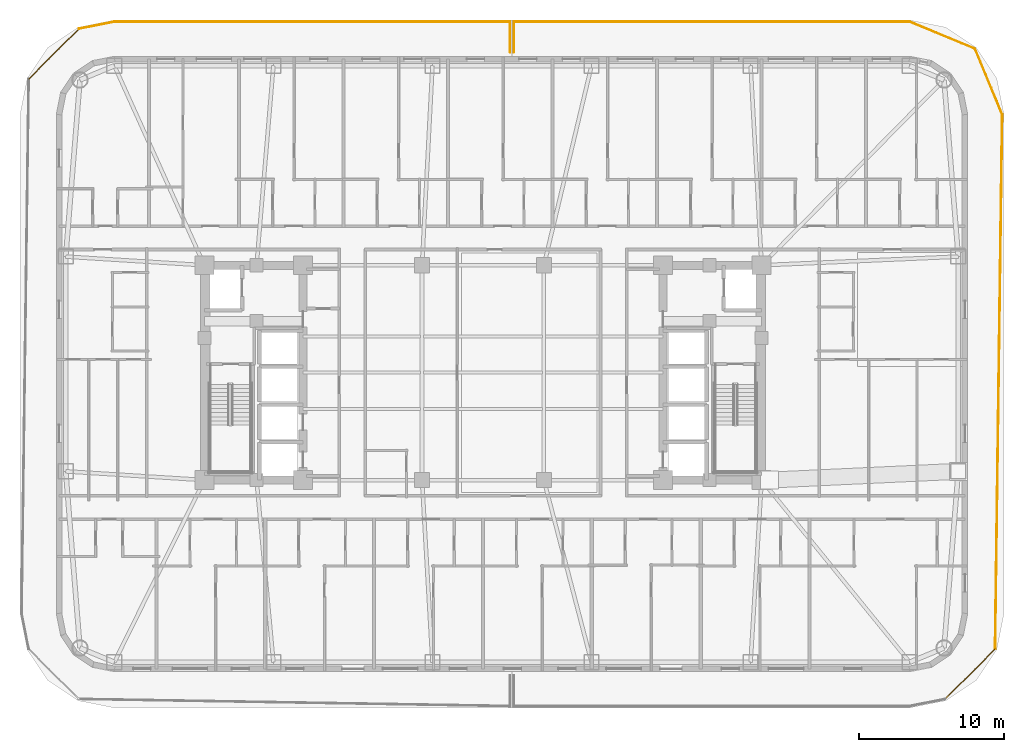
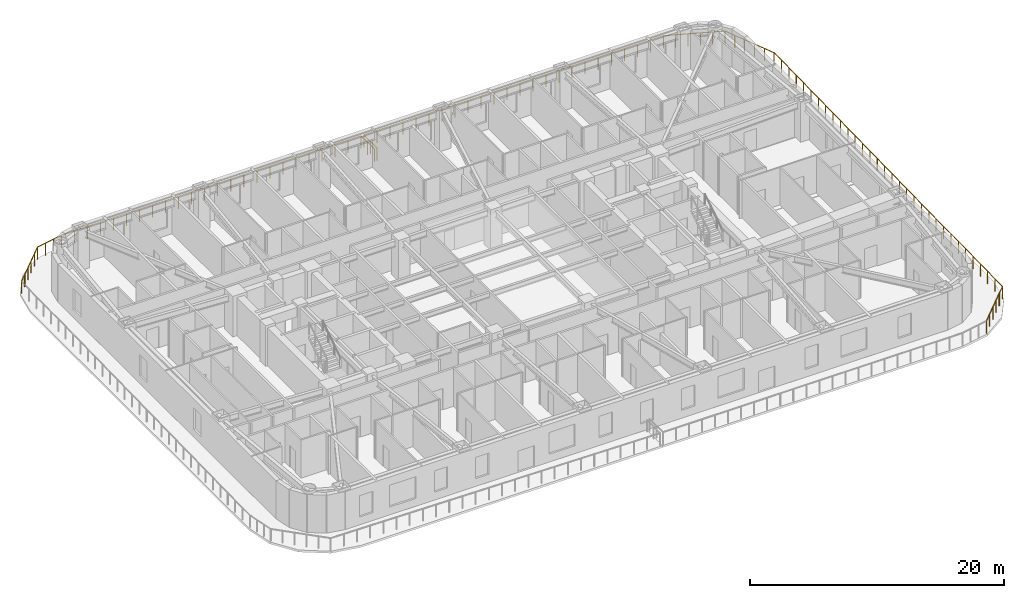
# One storey, part 16 of 16: 10 railings.
"""IFC4 building model written with IfcOpenShell, lengths in metres."""

from ifc_helpers import new_model, si_unit, direction, frame, origin, origin_2d, place, context, subcontext, project, spatial, circle, extrude, material, type_object, element, save


model = new_model("IFC4")

# Units and contexts
model_context = context("Model", 3, precision=1e-05, world=origin(), true_north=direction((0.0, 1.0)))
body_context = subcontext(model_context, "Body", "Model", "MODEL_VIEW")
ifc_project = project(units=[si_unit("LENGTHUNIT", "METRE"), si_unit("AREAUNIT", "SQUARE_METRE"), si_unit("VOLUMEUNIT", "CUBIC_METRE"), si_unit("PLANEANGLEUNIT", "RADIAN"), si_unit("MASSUNIT", "GRAM", prefix="KILO")], contexts=[model_context])

# Site, building, storey
site_placement = place(None, origin())
site = spatial("IfcSite", under=ifc_project, at=site_placement, CompositionType="ELEMENT")
building_placement = place(site_placement, origin())
building = spatial("IfcBuilding", under=site, at=building_placement, Name="Voryun Gate Residences", CompositionType="ELEMENT")
storey_placement = place(building_placement, frame((0.0, 0.0, 113.10009765625)))
storey = spatial("IfcBuildingStorey", under=building, at=storey_placement, Name="L27", CompositionType="ELEMENT", Elevation=113.10009765625)

# Railings
ifc_material = material(Name="Anodised aluminium", Category="aluminium")
railing_type = type_object("IfcRailingType", Name="RAIL_BALCONY_GUARD_1200", PredefinedType="GUARDRAIL", material=ifc_material)
railing_1_placement = place(storey_placement, frame((-31.292236328125, 20.240478515625, 0.0)))
element("IfcRailing", 1, at=railing_1_placement, inside=storey, type_object=railing_type, Name="Terrace guard RL-L27-P1L1-04", PredefinedType="GUARDRAIL", context=body_context, shape_type="SweptSolid", body=[
    extrude(circle(Radius=0.02392578125, at=origin_2d()), frame((0.0, 0.0, 1.17578125), z_axis=(0.707106781187, 0.707106781187, 0.0), x_axis=(-0.707106781187, 0.707106781187, 0.0)), (0.0, 0.0, 1.0), 4.88134765625),
    extrude(circle(Radius=0.02099609375, at=origin_2d()), origin(), (0.0, 0.0, 1.0), 1.15185546875),
    extrude(circle(Radius=0.02099609375, at=origin_2d()), frame((0.6904296875, 0.6904296875, 0.0)), (0.0, 0.0, 1.0), 1.15185546875),
    extrude(circle(Radius=0.02099609375, at=origin_2d()), frame((1.380615234375, 1.380615234375, 0.0)), (0.0, 0.0, 1.0), 1.15185546875),
    extrude(circle(Radius=0.02099609375, at=origin_2d()), frame((2.071044921875, 2.071044921875, 0.0)), (0.0, 0.0, 1.0), 1.15185546875),
    extrude(circle(Radius=0.02099609375, at=origin_2d()), frame((2.76123046875, 2.76123046875, 0.0)), (0.0, 0.0, 1.0), 1.15185546875),
    extrude(circle(Radius=0.02099609375, at=origin_2d()), frame((3.45166015625, 3.45166015625, 0.0)), (0.0, 0.0, 1.0), 1.15185546875),
])
railing_2_placement = place(storey_placement, frame((-27.840576171875, 23.692138671875, 0.0)))
element("IfcRailing", 2, at=railing_2_placement, inside=storey, type_object=railing_type, Name="Terrace guard RL-L27-P1L1-05", PredefinedType="GUARDRAIL", context=body_context, shape_type="SweptSolid", body=[
    extrude(circle(Radius=0.02392578125, at=origin_2d()), frame((0.0, 0.0, 1.17578125), z_axis=(0.980786676525, 0.195083303106, 0.0), x_axis=(-0.195083303106, 0.980786676525, 0.0)), (0.0, 0.0, 1.0), 2.50048828125),
    extrude(circle(Radius=0.02099609375, at=origin_2d()), origin(), (0.0, 0.0, 1.0), 1.15185546875),
    extrude(circle(Radius=0.02099609375, at=origin_2d()), frame((0.8173828125, 0.16259765625, 0.0)), (0.0, 0.0, 1.0), 1.15185546875),
    extrude(circle(Radius=0.02099609375, at=origin_2d()), frame((1.635009765625, 0.3251953125, 0.0)), (0.0, 0.0, 1.0), 1.15185546875),
    extrude(circle(Radius=0.02099609375, at=origin_2d()), frame((2.452392578125, 0.48779296875, 0.0)), (0.0, 0.0, 1.0), 1.15185546875),
])
railing_3_placement = place(storey_placement, frame((-25.38818359375, 24.179931640625, 0.0)))
element("IfcRailing", 3, at=railing_3_placement, inside=storey, type_object=railing_type, Name="Terrace guard RL-L27-P1L1-06", PredefinedType="GUARDRAIL", context=body_context, shape_type="SweptSolid", body=[
    extrude(circle(Radius=0.02392578125, at=origin_2d()), frame((0.0, 0.0, 1.17578125), z_axis=(1.0, 0.0, 0.0), x_axis=(0.0, 1.0, 0.0)), (0.0, 0.0, 1.0), 27.25830078125),
    extrude(circle(Radius=0.02099609375, at=origin_2d()), origin(), (0.0, 0.0, 1.0), 1.15185546875),
    extrude(circle(Radius=0.02099609375, at=origin_2d()), frame((1.18505859375, 0.0, 0.0)), (0.0, 0.0, 1.0), 1.15185546875),
    extrude(circle(Radius=0.02099609375, at=origin_2d()), frame((2.370361328125, 0.0, 0.0)), (0.0, 0.0, 1.0), 1.15185546875),
    extrude(circle(Radius=0.02099609375, at=origin_2d()), frame((3.555419921875, 0.0, 0.0)), (0.0, 0.0, 1.0), 1.15185546875),
    extrude(circle(Radius=0.02099609375, at=origin_2d()), frame((4.740478515625, 0.0, 0.0)), (0.0, 0.0, 1.0), 1.15185546875),
    extrude(circle(Radius=0.02099609375, at=origin_2d()), frame((5.92578125, 0.0, 0.0)), (0.0, 0.0, 1.0), 1.15185546875),
    extrude(circle(Radius=0.02099609375, at=origin_2d()), frame((7.11083984375, 0.0, 0.0)), (0.0, 0.0, 1.0), 1.15185546875),
    extrude(circle(Radius=0.02099609375, at=origin_2d()), frame((8.2958984375, 0.0, 0.0)), (0.0, 0.0, 1.0), 1.15185546875),
    extrude(circle(Radius=0.02099609375, at=origin_2d()), frame((9.481201171875, 0.0, 0.0)), (0.0, 0.0, 1.0), 1.15185546875),
    extrude(circle(Radius=0.02099609375, at=origin_2d()), frame((10.666259765625, 0.0, 0.0)), (0.0, 0.0, 1.0), 1.15185546875),
    extrude(circle(Radius=0.02099609375, at=origin_2d()), frame((11.851318359375, 0.0, 0.0)), (0.0, 0.0, 1.0), 1.15185546875),
    extrude(circle(Radius=0.02099609375, at=origin_2d()), frame((13.03662109375, 0.0, 0.0)), (0.0, 0.0, 1.0), 1.15185546875),
    extrude(circle(Radius=0.02099609375, at=origin_2d()), frame((14.2216796875, 0.0, 0.0)), (0.0, 0.0, 1.0), 1.15185546875),
    extrude(circle(Radius=0.02099609375, at=origin_2d()), frame((15.406982421875, 0.0, 0.0)), (0.0, 0.0, 1.0), 1.15185546875),
    extrude(circle(Radius=0.02099609375, at=origin_2d()), frame((16.592041015625, 0.0, 0.0)), (0.0, 0.0, 1.0), 1.15185546875),
    extrude(circle(Radius=0.02099609375, at=origin_2d()), frame((17.777099609375, 0.0, 0.0)), (0.0, 0.0, 1.0), 1.15185546875),
    extrude(circle(Radius=0.02099609375, at=origin_2d()), frame((18.96240234375, 0.0, 0.0)), (0.0, 0.0, 1.0), 1.15185546875),
    extrude(circle(Radius=0.02099609375, at=origin_2d()), frame((20.1474609375, 0.0, 0.0)), (0.0, 0.0, 1.0), 1.15185546875),
    extrude(circle(Radius=0.02099609375, at=origin_2d()), frame((21.33251953125, 0.0, 0.0)), (0.0, 0.0, 1.0), 1.15185546875),
    extrude(circle(Radius=0.02099609375, at=origin_2d()), frame((22.517822265625, 0.0, 0.0)), (0.0, 0.0, 1.0), 1.15185546875),
    extrude(circle(Radius=0.02099609375, at=origin_2d()), frame((23.702880859375, 0.0, 0.0)), (0.0, 0.0, 1.0), 1.15185546875),
    extrude(circle(Radius=0.02099609375, at=origin_2d()), frame((24.887939453125, 0.0, 0.0)), (0.0, 0.0, 1.0), 1.15185546875),
    extrude(circle(Radius=0.02099609375, at=origin_2d()), frame((26.0732421875, 0.0, 0.0)), (0.0, 0.0, 1.0), 1.15185546875),
    extrude(circle(Radius=0.02099609375, at=origin_2d()), frame((27.25830078125, 0.0, 0.0)), (0.0, 0.0, 1.0), 1.15185546875),
])
railing_4_placement = place(storey_placement, frame((1.8701171875, 24.179931640625, 0.0)))
element("IfcRailing", 4, at=railing_4_placement, inside=storey, type_object=railing_type, Name="Terrace guard RL-L27-P1L1-07", PredefinedType="GUARDRAIL", context=body_context, shape_type="SweptSolid", body=[
    extrude(circle(Radius=0.02392578125, at=origin_2d()), frame((0.0, 0.0, 1.17578125), z_axis=(0.0, -1.0, 0.0), x_axis=(1.0, 0.0, 0.0)), (0.0, 0.0, 1.0), 2.099853515625),
    extrude(circle(Radius=0.02099609375, at=origin_2d()), origin(), (0.0, 0.0, 1.0), 1.15185546875),
    extrude(circle(Radius=0.02099609375, at=origin_2d()), frame((0.0, -1.0498046875, 0.0)), (0.0, 0.0, 1.0), 1.15185546875),
    extrude(circle(Radius=0.02099609375, at=origin_2d()), frame((0.0, -2.099853515625, 0.0)), (0.0, 0.0, 1.0), 1.15185546875),
])
railing_5_placement = place(storey_placement, frame((29.38818359375, 24.179931640625, 0.0)))
element("IfcRailing", 5, at=railing_5_placement, inside=storey, type_object=railing_type, Name="Terrace guard RL-L27-P2L1-01", PredefinedType="GUARDRAIL", context=body_context, shape_type="SweptSolid", body=[
    extrude(circle(Radius=0.02392578125, at=origin_2d()), frame((0.0, 0.0, 1.17578125), z_axis=(0.924077607992, -0.382204885379, 0.0), x_axis=(0.382204885379, 0.924077607992, 0.0)), (0.0, 0.0, 1.0), 4.89306640625),
    extrude(circle(Radius=0.02099609375, at=origin_2d()), origin(), (0.0, 0.0, 1.0), 1.15185546875),
    extrude(circle(Radius=0.02099609375, at=origin_2d()), frame((0.904296875, -0.3740234375, 0.0)), (0.0, 0.0, 1.0), 1.15185546875),
    extrude(circle(Radius=0.02099609375, at=origin_2d()), frame((1.80859375, -0.748046875, 0.0)), (0.0, 0.0, 1.0), 1.15185546875),
    extrude(circle(Radius=0.02099609375, at=origin_2d()), frame((2.712890625, -1.1220703125, 0.0)), (0.0, 0.0, 1.0), 1.15185546875),
    extrude(circle(Radius=0.02099609375, at=origin_2d()), frame((3.6171875, -1.49609375, 0.0)), (0.0, 0.0, 1.0), 1.15185546875),
    extrude(circle(Radius=0.02099609375, at=origin_2d()), frame((4.521484375, -1.8701171875, 0.0)), (0.0, 0.0, 1.0), 1.15185546875),
])
railing_6_placement = place(storey_placement, frame((33.90966796875, 22.309814453125, 0.0)))
element("IfcRailing", 6, at=railing_6_placement, inside=storey, type_object=railing_type, Name="Terrace guard RL-L27-P2L1-02", PredefinedType="GUARDRAIL", context=body_context, shape_type="SweptSolid", body=[
    extrude(circle(Radius=0.02392578125, at=origin_2d()), frame((0.0, 0.0, 1.17578125), z_axis=(0.382229868257, -0.924067274506, 0.0), x_axis=(0.924067274506, 0.382229868257, 0.0)), (0.0, 0.0, 1.0), 4.893310546875),
    extrude(circle(Radius=0.02099609375, at=origin_2d()), origin(), (0.0, 0.0, 1.0), 1.15185546875),
    extrude(circle(Radius=0.02099609375, at=origin_2d()), frame((0.3740234375, -0.904296875, 0.0)), (0.0, 0.0, 1.0), 1.15185546875),
    extrude(circle(Radius=0.02099609375, at=origin_2d()), frame((0.748046875, -1.80859375, 0.0)), (0.0, 0.0, 1.0), 1.15185546875),
    extrude(circle(Radius=0.02099609375, at=origin_2d()), frame((1.122314453125, -2.713134765625, 0.0)), (0.0, 0.0, 1.0), 1.15185546875),
    extrude(circle(Radius=0.02099609375, at=origin_2d()), frame((1.496337890625, -3.617431640625, 0.0)), (0.0, 0.0, 1.0), 1.15185546875),
    extrude(circle(Radius=0.02099609375, at=origin_2d()), frame((1.870361328125, -4.521728515625, 0.0)), (0.0, 0.0, 1.0), 1.15185546875),
])
railing_7_placement = place(storey_placement, frame((35.780029296875, 17.7880859375, 0.0)))
element("IfcRailing", 7, at=railing_7_placement, inside=storey, type_object=railing_type, Name="Terrace guard RL-L27-P2L1-03", PredefinedType="GUARDRAIL", context=body_context, shape_type="SweptSolid", body=[
    extrude(circle(Radius=0.02392578125, at=origin_2d()), frame((0.0, 0.0, 1.17578125), z_axis=(-0.013243783692, -0.999912297251, 0.0), x_axis=(0.999912297251, -0.013243783692, 0.0)), (0.0, 0.0, 1.0), 36.831787109375),
    extrude(circle(Radius=0.02099609375, at=origin_2d()), origin(), (0.0, 0.0, 1.0), 1.15185546875),
    extrude(circle(Radius=0.02099609375, at=origin_2d()), frame((-0.015625, -1.18798828125, 0.0)), (0.0, 0.0, 1.0), 1.15185546875),
    extrude(circle(Radius=0.02099609375, at=origin_2d()), frame((-0.031494140625, -2.3759765625, 0.0)), (0.0, 0.0, 1.0), 1.15185546875),
    extrude(circle(Radius=0.02099609375, at=origin_2d()), frame((-0.047119140625, -3.56396484375, 0.0)), (0.0, 0.0, 1.0), 1.15185546875),
    extrude(circle(Radius=0.02099609375, at=origin_2d()), frame((-0.06298828125, -4.752197265625, 0.0)), (0.0, 0.0, 1.0), 1.15185546875),
    extrude(circle(Radius=0.02099609375, at=origin_2d()), frame((-0.07861328125, -5.940185546875, 0.0)), (0.0, 0.0, 1.0), 1.15185546875),
    extrude(circle(Radius=0.02099609375, at=origin_2d()), frame((-0.094482421875, -7.128173828125, 0.0)), (0.0, 0.0, 1.0), 1.15185546875),
    extrude(circle(Radius=0.02099609375, at=origin_2d()), frame((-0.110107421875, -8.316162109375, 0.0)), (0.0, 0.0, 1.0), 1.15185546875),
    extrude(circle(Radius=0.02099609375, at=origin_2d()), frame((-0.1259765625, -9.504150390625, 0.0)), (0.0, 0.0, 1.0), 1.15185546875),
    extrude(circle(Radius=0.02099609375, at=origin_2d()), frame((-0.1416015625, -10.692138671875, 0.0)), (0.0, 0.0, 1.0), 1.15185546875),
    extrude(circle(Radius=0.02099609375, at=origin_2d()), frame((-0.157470703125, -11.880126953125, 0.0)), (0.0, 0.0, 1.0), 1.15185546875),
    extrude(circle(Radius=0.02099609375, at=origin_2d()), frame((-0.173095703125, -13.068115234375, 0.0)), (0.0, 0.0, 1.0), 1.15185546875),
    extrude(circle(Radius=0.02099609375, at=origin_2d()), frame((-0.188720703125, -14.25634765625, 0.0)), (0.0, 0.0, 1.0), 1.15185546875),
    extrude(circle(Radius=0.02099609375, at=origin_2d()), frame((-0.20458984375, -15.4443359375, 0.0)), (0.0, 0.0, 1.0), 1.15185546875),
    extrude(circle(Radius=0.02099609375, at=origin_2d()), frame((-0.22021484375, -16.63232421875, 0.0)), (0.0, 0.0, 1.0), 1.15185546875),
    extrude(circle(Radius=0.02099609375, at=origin_2d()), frame((-0.236083984375, -17.8203125, 0.0)), (0.0, 0.0, 1.0), 1.15185546875),
    extrude(circle(Radius=0.02099609375, at=origin_2d()), frame((-0.251708984375, -19.00830078125, 0.0)), (0.0, 0.0, 1.0), 1.15185546875),
    extrude(circle(Radius=0.02099609375, at=origin_2d()), frame((-0.267578125, -20.1962890625, 0.0)), (0.0, 0.0, 1.0), 1.15185546875),
    extrude(circle(Radius=0.02099609375, at=origin_2d()), frame((-0.283203125, -21.38427734375, 0.0)), (0.0, 0.0, 1.0), 1.15185546875),
    extrude(circle(Radius=0.02099609375, at=origin_2d()), frame((-0.299072265625, -22.572265625, 0.0)), (0.0, 0.0, 1.0), 1.15185546875),
    extrude(circle(Radius=0.02099609375, at=origin_2d()), frame((-0.314697265625, -23.760498046875, 0.0)), (0.0, 0.0, 1.0), 1.15185546875),
    extrude(circle(Radius=0.02099609375, at=origin_2d()), frame((-0.330322265625, -24.948486328125, 0.0)), (0.0, 0.0, 1.0), 1.15185546875),
    extrude(circle(Radius=0.02099609375, at=origin_2d()), frame((-0.34619140625, -26.136474609375, 0.0)), (0.0, 0.0, 1.0), 1.15185546875),
    extrude(circle(Radius=0.02099609375, at=origin_2d()), frame((-0.36181640625, -27.324462890625, 0.0)), (0.0, 0.0, 1.0), 1.15185546875),
    extrude(circle(Radius=0.02099609375, at=origin_2d()), frame((-0.377685546875, -28.512451171875, 0.0)), (0.0, 0.0, 1.0), 1.15185546875),
    extrude(circle(Radius=0.02099609375, at=origin_2d()), frame((-0.393310546875, -29.700439453125, 0.0)), (0.0, 0.0, 1.0), 1.15185546875),
    extrude(circle(Radius=0.02099609375, at=origin_2d()), frame((-0.4091796875, -30.888427734375, 0.0)), (0.0, 0.0, 1.0), 1.15185546875),
    extrude(circle(Radius=0.02099609375, at=origin_2d()), frame((-0.4248046875, -32.076416015625, 0.0)), (0.0, 0.0, 1.0), 1.15185546875),
    extrude(circle(Radius=0.02099609375, at=origin_2d()), frame((-0.440673828125, -33.2646484375, 0.0)), (0.0, 0.0, 1.0), 1.15185546875),
    extrude(circle(Radius=0.02099609375, at=origin_2d()), frame((-0.456298828125, -34.45263671875, 0.0)), (0.0, 0.0, 1.0), 1.15185546875),
    extrude(circle(Radius=0.02099609375, at=origin_2d()), frame((-0.47216796875, -35.640625, 0.0)), (0.0, 0.0, 1.0), 1.15185546875),
    extrude(circle(Radius=0.02099609375, at=origin_2d()), frame((-0.48779296875, -36.82861328125, 0.0)), (0.0, 0.0, 1.0), 1.15185546875),
])
railing_8_placement = place(storey_placement, frame((35.292236328125, -19.04052734375, 0.0)))
element("IfcRailing", 8, at=railing_8_placement, inside=storey, type_object=railing_type, Name="Terrace guard RL-L27-P2L1-04", PredefinedType="GUARDRAIL", context=body_context, shape_type="SweptSolid", body=[
    extrude(circle(Radius=0.02392578125, at=origin_2d()), frame((0.0, 0.0, 1.17578125), z_axis=(-0.707106781187, -0.707106781187, 0.0), x_axis=(0.707106781187, -0.707106781187, 0.0)), (0.0, 0.0, 1.0), 4.88134765625),
    extrude(circle(Radius=0.02099609375, at=origin_2d()), origin(), (0.0, 0.0, 1.0), 1.15185546875),
    extrude(circle(Radius=0.02099609375, at=origin_2d()), frame((-0.6904296875, -0.6904296875, 0.0)), (0.0, 0.0, 1.0), 1.15185546875),
    extrude(circle(Radius=0.02099609375, at=origin_2d()), frame((-1.380615234375, -1.380615234375, 0.0)), (0.0, 0.0, 1.0), 1.15185546875),
    extrude(circle(Radius=0.02099609375, at=origin_2d()), frame((-2.071044921875, -2.071044921875, 0.0)), (0.0, 0.0, 1.0), 1.15185546875),
    extrude(circle(Radius=0.02099609375, at=origin_2d()), frame((-2.76123046875, -2.76123046875, 0.0)), (0.0, 0.0, 1.0), 1.15185546875),
    extrude(circle(Radius=0.02099609375, at=origin_2d()), frame((-3.45166015625, -3.45166015625, 0.0)), (0.0, 0.0, 1.0), 1.15185546875),
])
railing_9_placement = place(storey_placement, frame((2.1298828125, 22.080078125, 0.0)))
element("IfcRailing", 9, at=railing_9_placement, inside=storey, type_object=railing_type, Name="Terrace guard RL-L27-P2L2-01", PredefinedType="GUARDRAIL", context=body_context, shape_type="SweptSolid", body=[
    extrude(circle(Radius=0.02392578125, at=origin_2d()), frame((0.0, 0.0, 1.17578125), z_axis=(0.0, 1.0, 0.0), x_axis=(-1.0, 0.0, 0.0)), (0.0, 0.0, 1.0), 2.099853515625),
    extrude(circle(Radius=0.02099609375, at=origin_2d()), origin(), (0.0, 0.0, 1.0), 1.15185546875),
    extrude(circle(Radius=0.02099609375, at=origin_2d()), frame((0.0, 1.0498046875, 0.0)), (0.0, 0.0, 1.0), 1.15185546875),
    extrude(circle(Radius=0.02099609375, at=origin_2d()), frame((0.0, 2.099853515625, 0.0)), (0.0, 0.0, 1.0), 1.15185546875),
])
railing_10_placement = place(storey_placement, frame((2.1298828125, 24.179931640625, 0.0)))
element("IfcRailing", 10, at=railing_10_placement, inside=storey, type_object=railing_type, Name="Terrace guard RL-L27-P2L2-02", PredefinedType="GUARDRAIL", context=body_context, shape_type="SweptSolid", body=[
    extrude(circle(Radius=0.02392578125, at=origin_2d()), frame((0.0, 0.0, 1.17578125), z_axis=(1.0, 0.0, 0.0), x_axis=(0.0, 1.0, 0.0)), (0.0, 0.0, 1.0), 27.25830078125),
    extrude(circle(Radius=0.02099609375, at=origin_2d()), origin(), (0.0, 0.0, 1.0), 1.15185546875),
    extrude(circle(Radius=0.02099609375, at=origin_2d()), frame((1.18505859375, 0.0, 0.0)), (0.0, 0.0, 1.0), 1.15185546875),
    extrude(circle(Radius=0.02099609375, at=origin_2d()), frame((2.370361328125, 0.0, 0.0)), (0.0, 0.0, 1.0), 1.15185546875),
    extrude(circle(Radius=0.02099609375, at=origin_2d()), frame((3.555419921875, 0.0, 0.0)), (0.0, 0.0, 1.0), 1.15185546875),
    extrude(circle(Radius=0.02099609375, at=origin_2d()), frame((4.740478515625, 0.0, 0.0)), (0.0, 0.0, 1.0), 1.15185546875),
    extrude(circle(Radius=0.02099609375, at=origin_2d()), frame((5.92578125, 0.0, 0.0)), (0.0, 0.0, 1.0), 1.15185546875),
    extrude(circle(Radius=0.02099609375, at=origin_2d()), frame((7.11083984375, 0.0, 0.0)), (0.0, 0.0, 1.0), 1.15185546875),
    extrude(circle(Radius=0.02099609375, at=origin_2d()), frame((8.2958984375, 0.0, 0.0)), (0.0, 0.0, 1.0), 1.15185546875),
    extrude(circle(Radius=0.02099609375, at=origin_2d()), frame((9.481201171875, 0.0, 0.0)), (0.0, 0.0, 1.0), 1.15185546875),
    extrude(circle(Radius=0.02099609375, at=origin_2d()), frame((10.666259765625, 0.0, 0.0)), (0.0, 0.0, 1.0), 1.15185546875),
    extrude(circle(Radius=0.02099609375, at=origin_2d()), frame((11.851318359375, 0.0, 0.0)), (0.0, 0.0, 1.0), 1.15185546875),
    extrude(circle(Radius=0.02099609375, at=origin_2d()), frame((13.03662109375, 0.0, 0.0)), (0.0, 0.0, 1.0), 1.15185546875),
    extrude(circle(Radius=0.02099609375, at=origin_2d()), frame((14.2216796875, 0.0, 0.0)), (0.0, 0.0, 1.0), 1.15185546875),
    extrude(circle(Radius=0.02099609375, at=origin_2d()), frame((15.406982421875, 0.0, 0.0)), (0.0, 0.0, 1.0), 1.15185546875),
    extrude(circle(Radius=0.02099609375, at=origin_2d()), frame((16.592041015625, 0.0, 0.0)), (0.0, 0.0, 1.0), 1.15185546875),
    extrude(circle(Radius=0.02099609375, at=origin_2d()), frame((17.777099609375, 0.0, 0.0)), (0.0, 0.0, 1.0), 1.15185546875),
    extrude(circle(Radius=0.02099609375, at=origin_2d()), frame((18.96240234375, 0.0, 0.0)), (0.0, 0.0, 1.0), 1.15185546875),
    extrude(circle(Radius=0.02099609375, at=origin_2d()), frame((20.1474609375, 0.0, 0.0)), (0.0, 0.0, 1.0), 1.15185546875),
    extrude(circle(Radius=0.02099609375, at=origin_2d()), frame((21.33251953125, 0.0, 0.0)), (0.0, 0.0, 1.0), 1.15185546875),
    extrude(circle(Radius=0.02099609375, at=origin_2d()), frame((22.517822265625, 0.0, 0.0)), (0.0, 0.0, 1.0), 1.15185546875),
    extrude(circle(Radius=0.02099609375, at=origin_2d()), frame((23.702880859375, 0.0, 0.0)), (0.0, 0.0, 1.0), 1.15185546875),
    extrude(circle(Radius=0.02099609375, at=origin_2d()), frame((24.887939453125, 0.0, 0.0)), (0.0, 0.0, 1.0), 1.15185546875),
    extrude(circle(Radius=0.02099609375, at=origin_2d()), frame((26.0732421875, 0.0, 0.0)), (0.0, 0.0, 1.0), 1.15185546875),
    extrude(circle(Radius=0.02099609375, at=origin_2d()), frame((27.25830078125, 0.0, 0.0)), (0.0, 0.0, 1.0), 1.15185546875),
])

save(model, "model.ifc")
